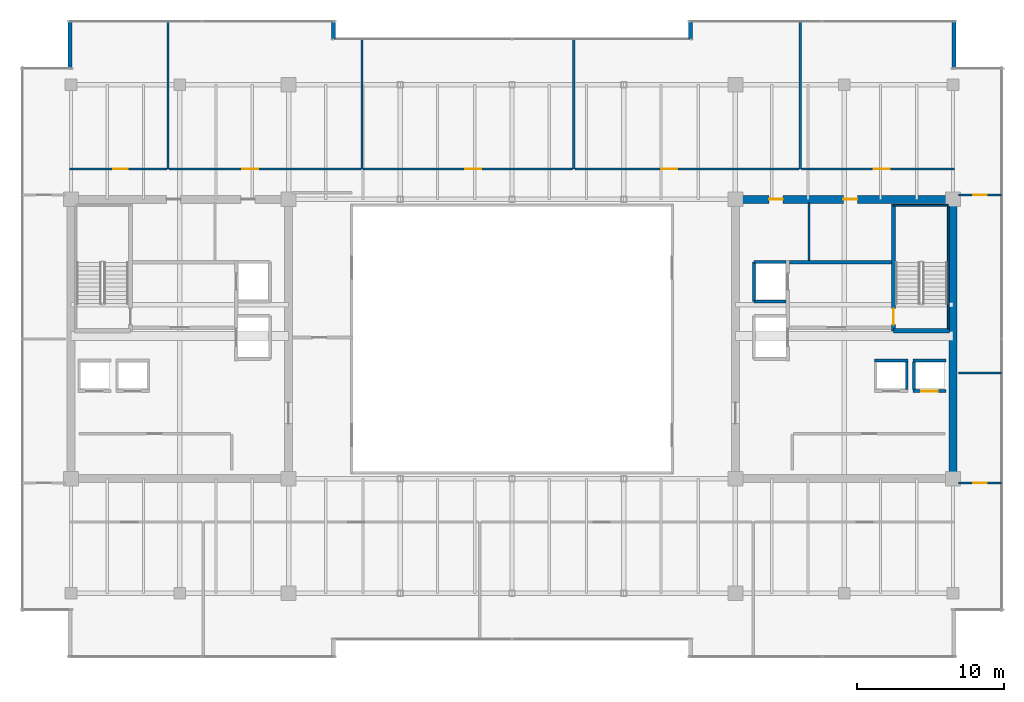
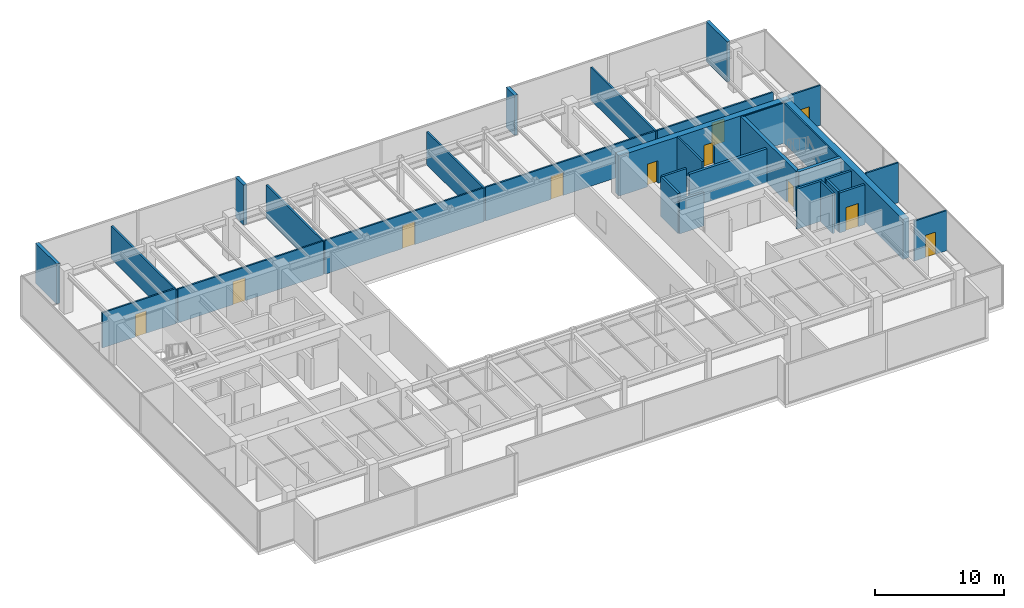
# One storey, part 30 of 33: 32 walls, 11 doors, 11 openings.
"""IFC4 building model written with IfcOpenShell, lengths in metres."""

from ifc_helpers import new_model, si_unit, direction, frame, frame_2d, origin, place, context, subcontext, project, spatial, rectangle, extrude, source, transform, mapped, material, layer, layer_set, type_object, type_shapes, element, fill, save


model = new_model("IFC4")

# Units and contexts
model_context = context("Model", 3, precision=1e-05, world=origin(), true_north=direction((0.0, 1.0)))
body_context = subcontext(model_context, "Body", "Model", "MODEL_VIEW")
ifc_project = project(units=[si_unit("LENGTHUNIT", "METRE"), si_unit("AREAUNIT", "SQUARE_METRE"), si_unit("VOLUMEUNIT", "CUBIC_METRE"), si_unit("PLANEANGLEUNIT", "RADIAN"), si_unit("MASSUNIT", "GRAM", prefix="KILO")], contexts=[model_context])

# Site, building, storey
site_placement = place(None, origin())
site = spatial("IfcSite", under=ifc_project, at=site_placement, CompositionType="ELEMENT")
building_placement = place(site_placement, origin())
building = spatial("IfcBuilding", under=site, at=building_placement, Name="Haelvirn Gate Laboratories", CompositionType="ELEMENT")
storey_placement = place(building_placement, frame((0.0, 0.0, 217.800048828125)))
storey = spatial("IfcBuildingStorey", under=building, at=storey_placement, Name="L52", CompositionType="ELEMENT", Elevation=217.800048828125)

# Walls
ifc_material_1 = material(Name="Thermally-broken bronze aluminium rainscreen & mineral wool", Category="aluminium")
ifc_layer_1 = layer(ifc_material_1, 0.280029296875, Name="EW-TERR-280")
ifc_layer_set_1 = layer_set([ifc_layer_1], Name="Thermally-broken bronze aluminium rainscreen & mineral wool")
wall_type_1 = type_object("IfcWallType", Name="EW-TERR-280", PredefinedType="STANDARD", material=ifc_layer_set_1)
wall_1_placement = place(storey_placement, frame((67.4599609375, 42.7119140625, 0.0), z_axis=(0.0, 0.0, 1.0), x_axis=(0.0, 1.0, 0.0)))
element("IfcWall", 1, at=wall_1_placement, inside=storey, type_object=wall_type_1, Name="L52 Atrium Recess Bronze Return Wall 09", PredefinedType="STANDARD", context=body_context, shape_type="SweptSolid", body=[
    extrude(rectangle(XDim=3.2880859375, YDim=0.280029296875, at=frame_2d((1.64404296875, 0.0))), origin(), (0.0, 0.0, 1.0), 3.800048828125),
])
for number, where, z_axis, x_axis, name in (
    (2, (49.5400390625, 46.0, 0.0), (0.0, 0.0, 1.0), (0.0, -1.0, 0.0), "L52 Atrium Recess Bronze Return Wall 11"),
    (3, (25.260009765625, 44.70703125, 0.0), (0.0, 0.0, 1.0), (0.0, 1.0, 0.0), "L52 Atrium Recess Bronze Return Wall 13"),
):
    element("IfcWall", number, at=place(storey_placement, frame(where, z_axis=z_axis, x_axis=x_axis)), inside=storey, type_object=wall_type_1, Name=name, PredefinedType="STANDARD", context=body_context, shape_type="SweptSolid", body=[
        extrude(rectangle(XDim=1.29296875, YDim=0.280029296875, at=frame_2d((0.646484375, 0.0))), origin(), (0.0, 0.0, 1.0), 3.800048828125),
    ])
wall_2_placement = place(storey_placement, frame((7.340087890625, 46.0, 0.0), z_axis=(0.0, 0.0, 1.0), x_axis=(0.0, -1.0, 0.0)))
element("IfcWall", 4, at=wall_2_placement, inside=storey, type_object=wall_type_1, Name="L52 Atrium Recess Bronze Return Wall 15", PredefinedType="STANDARD", context=body_context, shape_type="SweptSolid", body=[
    extrude(rectangle(XDim=3.2880859375, YDim=0.280029296875, at=frame_2d((1.64404296875, 0.0))), origin(), (0.0, 0.0, 1.0), 3.800048828125),
])
ifc_material_2 = material(Name="Double-layer acoustic gypsum laboratory partition", Category="gypsum")
ifc_layer_2 = layer(ifc_material_2, 0.159912109375, Name="IW-ACOUST-160")
ifc_layer_set_2 = layer_set([ifc_layer_2], Name="Double-layer acoustic gypsum laboratory partition")
wall_type_2 = type_object("IfcWallType", Name="IW-ACOUST-160", PredefinedType="PARTITIONING", material=ifc_layer_set_2)
wall_3_placement = place(storey_placement, frame((14.0, 35.860107421875, 0.0), z_axis=(0.0, 0.0, 1.0), x_axis=(0.0, 1.0, 0.0)))
element("IfcWall", 5, at=wall_3_placement, inside=storey, type_object=wall_type_2, Name="L52 Interior Wall IW-L52-NDIV-01", PredefinedType="PARTITIONING", context=body_context, shape_type="SweptSolid", body=[
    extrude(rectangle(XDim=10.02978515625, YDim=0.159912109375, at=frame_2d((5.014892578125, 0.0))), origin(), (0.0, 0.0, 1.0), 3.135009765625),
])
for number, where, z_axis, x_axis, name in (
    (6, (27.199951171875, 35.860107421875, 0.0), (0.0, 0.0, 1.0), (0.0, 1.0, 0.0), "L52 Interior Wall IW-L52-NDIV-02"),
    (7, (41.60009765625, 35.860107421875, 0.0), (0.0, 0.0, 1.0), (0.0, 1.0, 0.0), "L52 Interior Wall IW-L52-NDIV-03"),
):
    element("IfcWall", number, at=place(storey_placement, frame(where, z_axis=z_axis, x_axis=x_axis)), inside=storey, type_object=wall_type_2, Name=name, PredefinedType="PARTITIONING", context=body_context, shape_type="SweptSolid", body=[
        extrude(rectangle(XDim=8.829833984375, YDim=0.159912109375, at=frame_2d((4.4150390625, 0.0))), origin(), (0.0, 0.0, 1.0), 3.135009765625),
    ])
wall_4_placement = place(storey_placement, frame((57.0, 35.860107421875, 0.0), z_axis=(0.0, 0.0, 1.0), x_axis=(0.0, 1.0, 0.0)))
element("IfcWall", 8, at=wall_4_placement, inside=storey, type_object=wall_type_2, Name="L52 Interior Wall IW-L52-NDIV-04", PredefinedType="PARTITIONING", context=body_context, shape_type="SweptSolid", body=[
    extrude(rectangle(XDim=10.02978515625, YDim=0.159912109375, at=frame_2d((5.014892578125, 0.0))), origin(), (0.0, 0.0, 1.0), 3.135009765625),
])

# Wall, opening, door
ifc_material_3 = material(Name="Acoustic mineral-wool gypsum board partition", Category="gypsum")
ifc_layer_3 = layer(ifc_material_3, 0.139892578125, Name="IW-PART-140")
ifc_layer_set_3 = layer_set([ifc_layer_3], Name="Acoustic mineral-wool gypsum board partition")
wall_type_3 = type_object("IfcWallType", Name="IW-PART-140", PredefinedType="PARTITIONING", material=ifc_layer_set_3)
wall_5_placement = place(storey_placement, frame((7.31005859375, 35.860107421875, 0.0), z_axis=(0.0, 0.0, 1.0), x_axis=(1.0, 0.0, 0.0)))
wall_5 = element("IfcWall", 9, at=wall_5_placement, inside=storey, type_object=wall_type_3, Name="L52 Interior Wall IW-L52-NCORR-01", PredefinedType="PARTITIONING", context=body_context, shape_type="SweptSolid", body=[
    extrude(rectangle(XDim=6.60986328125, YDim=0.139892578125, at=frame_2d((3.304931640625, 0.0))), origin(), (0.0, 0.0, 1.0), 3.3349609375),
])
opening_1_placement = place(wall_5_placement, frame((2.952392578125, 0.0, 0.0)))
opening_1 = element("IfcOpeningElement", 10, at=opening_1_placement, cuts=wall_5, Name="Opening D2", PredefinedType="OPENING", context=body_context, shape_type="SweptSolid", body=[
    extrude(rectangle(XDim=1.0, YDim=2.14990234375, at=frame_2d((0.5, 1.074951171875))), frame((0.0, 0.080078125, 0.0), z_axis=(0.0, -1.0, 0.0), x_axis=(1.0, 0.0, 0.0)), (0.0, 0.0, 1.0), 0.159912109375),
])
ifc_material_4 = material(Name="Acoustic solid-core timber suite door", Category="wood")
door_type_1 = type_object("IfcDoorType", Name="DR-INT-1000", OperationType="NOTDEFINED", PredefinedType="DOOR", material=ifc_material_4)
shared_shape_1 = source(origin(), body_context, "Body", "SweptSolid", [
    extrude(rectangle(XDim=1.0, YDim=2.14990234375, at=frame_2d((0.5, 1.074951171875))), frame((0.0, 0.02490234375, 0.0), z_axis=(0.0, -1.0, 0.0), x_axis=(1.0, 0.0, 0.0)), (0.0, 0.0, 1.0), 0.050048828125),
])
type_shapes(door_type_1, [shared_shape_1])
door_1_placement = place(opening_1_placement, origin())
door_1 = element("IfcDoor", 11, at=door_1_placement, inside=storey, type_object=door_type_1, Name="L52 Analytical Instrument Suite Door N1", OperationType="SINGLE_SWING_RIGHT", OverallHeight=2.14990234375, OverallWidth=1.0, PredefinedType="DOOR", context=body_context, shape_type="MappedRepresentation", body=[
    mapped(shared_shape_1, transform((0.0, 0.0, 0.0), scale=1.0)),
])
fill(opening_1, door_1)

wall_6_placement = place(storey_placement, frame((14.080078125, 35.860107421875, 0.0), z_axis=(0.0, 0.0, 1.0), x_axis=(1.0, 0.0, 0.0)))
wall_6 = element("IfcWall", 12, at=wall_6_placement, inside=storey, type_object=wall_type_3, Name="L52 Interior Wall IW-L52-NCORR-02", PredefinedType="PARTITIONING", context=body_context, shape_type="SweptSolid", body=[
    extrude(rectangle(XDim=13.0400390625, YDim=0.139892578125, at=frame_2d((6.52001953125, 0.0))), origin(), (0.0, 0.0, 1.0), 3.197021484375),
])
opening_2_placement = place(wall_6_placement, frame((4.95849609375, 0.0, 0.0)))
opening_2 = element("IfcOpeningElement", 13, at=opening_2_placement, cuts=wall_6, Name="Opening D1", PredefinedType="OPENING", context=body_context, shape_type="SweptSolid", body=[
    extrude(rectangle(XDim=1.10009765625, YDim=2.179931640625, at=frame_2d((0.550048828125, 1.08984375))), frame((0.0, 0.080078125, 0.0), z_axis=(0.0, -1.0, 0.0), x_axis=(1.0, 0.0, 0.0)), (0.0, 0.0, 1.0), 0.159912109375),
])
ifc_material_5 = material(Name="Vision-panel acoustic solid-core timber lab door", Category="wood")
door_type_2 = type_object("IfcDoorType", Name="DR-LAB-1100", OperationType="NOTDEFINED", PredefinedType="DOOR", material=ifc_material_5)
shared_shape_2 = source(origin(), body_context, "Body", "SweptSolid", [
    extrude(rectangle(XDim=1.10009765625, YDim=2.179931640625, at=frame_2d((0.550048828125, 1.08984375))), frame((0.0, 0.02490234375, 0.0), z_axis=(0.0, -1.0, 0.0), x_axis=(1.0, 0.0, 0.0)), (0.0, 0.0, 1.0), 0.050048828125),
])
type_shapes(door_type_2, [shared_shape_2])
door_2_placement = place(opening_2_placement, origin())
door_2 = element("IfcDoor", 14, at=door_2_placement, inside=storey, type_object=door_type_2, Name="L52 Cleanroom Metrology Suite Door N2", OperationType="SINGLE_SWING_LEFT", OverallHeight=2.179931640625, OverallWidth=1.10009765625, PredefinedType="DOOR", context=body_context, shape_type="MappedRepresentation", body=[
    mapped(shared_shape_2, transform((0.0, 0.0, 0.0), scale=1.0)),
])
fill(opening_2, door_2)

wall_7_placement = place(storey_placement, frame((27.280029296875, 35.860107421875, 0.0), z_axis=(0.0, 0.0, 1.0), x_axis=(1.0, 0.0, 0.0)))
wall_7 = element("IfcWall", 15, at=wall_7_placement, inside=storey, type_object=wall_type_3, Name="L52 Interior Wall IW-L52-NCORR-03", PredefinedType="PARTITIONING", context=body_context, shape_type="SweptSolid", body=[
    extrude(rectangle(XDim=14.239990234375, YDim=0.139892578125, at=frame_2d((7.1201171875, 0.0))), origin(), (0.0, 0.0, 1.0), 3.197021484375),
])
opening_3_placement = place(wall_7_placement, frame((6.943115234375, 0.0, 0.0)))
opening_3 = element("IfcOpeningElement", 16, at=opening_3_placement, cuts=wall_7, Name="Opening D1", PredefinedType="OPENING", context=body_context, shape_type="SweptSolid", body=[
    extrude(rectangle(XDim=1.10009765625, YDim=2.179931640625, at=frame_2d((0.550048828125, 1.08984375))), frame((0.0, 0.080078125, 0.0), z_axis=(0.0, -1.0, 0.0), x_axis=(1.0, 0.0, 0.0)), (0.0, 0.0, 1.0), 0.159912109375),
])
door_3_placement = place(opening_3_placement, origin())
door_3 = element("IfcDoor", 17, at=door_3_placement, inside=storey, type_object=door_type_2, Name="L52 Cryo-EM Imaging Suite Door N3", OperationType="SINGLE_SWING_RIGHT", OverallHeight=2.179931640625, OverallWidth=1.10009765625, PredefinedType="DOOR", context=body_context, shape_type="MappedRepresentation", body=[
    mapped(shared_shape_2, transform((0.0, 0.0, 0.0), scale=1.0)),
])
fill(opening_3, door_3)

wall_8_placement = place(storey_placement, frame((41.679931640625, 35.860107421875, 0.0), z_axis=(0.0, 0.0, 1.0), x_axis=(1.0, 0.0, 0.0)))
wall_8 = element("IfcWall", 18, at=wall_8_placement, inside=storey, type_object=wall_type_3, Name="L52 Interior Wall IW-L52-NCORR-04", PredefinedType="PARTITIONING", context=body_context, shape_type="SweptSolid", body=[
    extrude(rectangle(XDim=15.239990234375, YDim=0.139892578125, at=frame_2d((7.6201171875, 0.0))), origin(), (0.0, 0.0, 1.0), 3.197021484375),
])
opening_4_placement = place(wall_8_placement, frame((5.8603515625, 0.0, 0.0)))
opening_4 = element("IfcOpeningElement", 19, at=opening_4_placement, cuts=wall_8, Name="Opening D1", PredefinedType="OPENING", context=body_context, shape_type="SweptSolid", body=[
    extrude(rectangle(XDim=1.10009765625, YDim=2.179931640625, at=frame_2d((0.550048828125, 1.08984375))), frame((0.0, 0.080078125, 0.0), z_axis=(0.0, -1.0, 0.0), x_axis=(1.0, 0.0, 0.0)), (0.0, 0.0, 1.0), 0.159912109375),
])
door_4_placement = place(opening_4_placement, origin())
door_4 = element("IfcDoor", 20, at=door_4_placement, inside=storey, type_object=door_type_2, Name="L52 Analytical Instrument Suite Door N4", OperationType="SINGLE_SWING_LEFT", OverallHeight=2.179931640625, OverallWidth=1.10009765625, PredefinedType="DOOR", context=body_context, shape_type="MappedRepresentation", body=[
    mapped(shared_shape_2, transform((0.0, 0.0, 0.0), scale=1.0)),
])
fill(opening_4, door_4)

wall_9_placement = place(storey_placement, frame((57.080078125, 35.860107421875, 0.0), z_axis=(0.0, 0.0, 1.0), x_axis=(1.0, 0.0, 0.0)))
wall_9 = element("IfcWall", 21, at=wall_9_placement, inside=storey, type_object=wall_type_3, Name="L52 Interior Wall IW-L52-NCORR-05", PredefinedType="PARTITIONING", context=body_context, shape_type="SweptSolid", body=[
    extrude(rectangle(XDim=10.409912109375, YDim=0.139892578125, at=frame_2d((5.205078125, 0.0))), origin(), (0.0, 0.0, 1.0), 3.197021484375),
])
opening_5_placement = place(wall_9_placement, frame((4.913330078125, 0.0, 0.0)))
opening_5 = element("IfcOpeningElement", 22, at=opening_5_placement, cuts=wall_9, Name="Opening D1", PredefinedType="OPENING", context=body_context, shape_type="SweptSolid", body=[
    extrude(rectangle(XDim=1.10009765625, YDim=2.179931640625, at=frame_2d((0.550048828125, 1.08984375))), frame((0.0, 0.080078125, 0.0), z_axis=(0.0, -1.0, 0.0), x_axis=(1.0, 0.0, 0.0)), (0.0, 0.0, 1.0), 0.159912109375),
])
door_5_placement = place(opening_5_placement, origin())
door_5 = element("IfcDoor", 23, at=door_5_placement, inside=storey, type_object=door_type_2, Name="L52 Occupational Biosafety Clinic Door N5", OperationType="SINGLE_SWING_RIGHT", OverallHeight=2.179931640625, OverallWidth=1.10009765625, PredefinedType="DOOR", context=body_context, shape_type="MappedRepresentation", body=[
    mapped(shared_shape_2, transform((0.0, 0.0, 0.0), scale=1.0)),
])
fill(opening_5, door_5)

# Wall
wall_10_placement = place(storey_placement, frame((67.780029296875, 22.0, 0.0), z_axis=(0.0, 0.0, 1.0), x_axis=(1.0, 0.0, 0.0)))
element("IfcWall", 24, at=wall_10_placement, inside=storey, type_object=wall_type_3, Name="L52 Interior Wall IW-L52-EZ3-MID", PredefinedType="PARTITIONING", context=body_context, shape_type="SweptSolid", body=[
    extrude(rectangle(XDim=2.909912109375, YDim=0.139892578125, at=frame_2d((1.455078125, 0.0))), origin(), (0.0, 0.0, 1.0), 3.800048828125),
])

# Wall, opening, door
wall_11_placement = place(storey_placement, frame((67.780029296875, 14.5048828125, 0.0), z_axis=(0.0, 0.0, 1.0), x_axis=(1.0, 0.0, 0.0)))
wall_11 = element("IfcWall", 25, at=wall_11_placement, inside=storey, type_object=wall_type_3, Name="L52 Interior Wall IW-L52-EZ3-ENT-S", PredefinedType="PARTITIONING", context=body_context, shape_type="SweptSolid", body=[
    extrude(rectangle(XDim=2.909912109375, YDim=0.139892578125, at=frame_2d((1.455078125, 0.0))), origin(), (0.0, 0.0, 1.0), 3.800048828125),
])
opening_6_placement = place(wall_11_placement, frame((1.0048828125, 0.0, 0.0)))
opening_6 = element("IfcOpeningElement", 26, at=opening_6_placement, cuts=wall_11, Name="Opening D4", PredefinedType="OPENING", context=body_context, shape_type="SweptSolid", body=[
    extrude(rectangle(XDim=0.89990234375, YDim=2.10009765625, at=frame_2d((0.449951171875, 1.050048828125))), frame((0.0, 0.080078125, 0.0), z_axis=(0.0, -1.0, 0.0), x_axis=(1.0, 0.0, 0.0)), (0.0, 0.0, 1.0), 0.159912109375),
])
ifc_material_6 = material(Name="Glazed aluminium-framed write-up door", Category="aluminium")
door_type_3 = type_object("IfcDoorType", Name="DR-OFF-900", OperationType="NOTDEFINED", PredefinedType="DOOR", material=ifc_material_6)
shared_shape_3 = source(origin(), body_context, "Body", "SweptSolid", [
    extrude(rectangle(XDim=0.89990234375, YDim=2.10009765625, at=frame_2d((0.449951171875, 1.050048828125))), frame((0.0, 0.02490234375, 0.0), z_axis=(0.0, -1.0, 0.0), x_axis=(1.0, 0.0, 0.0)), (0.0, 0.0, 1.0), 0.050048828125),
])
type_shapes(door_type_3, [shared_shape_3])
door_6_placement = place(opening_6_placement, origin())
door_6 = element("IfcDoor", 27, at=door_6_placement, inside=storey, type_object=door_type_3, Name="L52 Researcher Break Pantry Door E-S", OperationType="SINGLE_SWING_LEFT", OverallHeight=2.10009765625, OverallWidth=0.89990234375, PredefinedType="DOOR", context=body_context, shape_type="MappedRepresentation", body=[
    mapped(shared_shape_3, transform((0.0, 0.0, 0.0), scale=1.0)),
])
fill(opening_6, door_6)

wall_12_placement = place(storey_placement, frame((67.780029296875, 34.094970703125, 0.0), z_axis=(0.0, 0.0, 1.0), x_axis=(1.0, 0.0, 0.0)))
wall_12 = element("IfcWall", 28, at=wall_12_placement, inside=storey, type_object=wall_type_3, Name="L52 Interior Wall IW-L52-EZ3-ENT-N", PredefinedType="PARTITIONING", context=body_context, shape_type="SweptSolid", body=[
    extrude(rectangle(XDim=2.909912109375, YDim=0.139892578125, at=frame_2d((1.455078125, 0.0))), origin(), (0.0, 0.0, 1.0), 3.800048828125),
])
opening_7_placement = place(wall_12_placement, frame((1.0048828125, 0.0, 0.0)))
opening_7 = element("IfcOpeningElement", 29, at=opening_7_placement, cuts=wall_12, Name="Opening D4", PredefinedType="OPENING", context=body_context, shape_type="SweptSolid", body=[
    extrude(rectangle(XDim=0.89990234375, YDim=2.10009765625, at=frame_2d((0.449951171875, 1.050048828125))), frame((0.0, 0.080078125, 0.0), z_axis=(0.0, -1.0, 0.0), x_axis=(1.0, 0.0, 0.0)), (0.0, 0.0, 1.0), 0.159912109375),
])
door_7_placement = place(opening_7_placement, origin())
door_7 = element("IfcDoor", 30, at=door_7_placement, inside=storey, type_object=door_type_3, Name="L52 Chemical Synthesis Laboratory Door E-N", OperationType="SINGLE_SWING_RIGHT", OverallHeight=2.10009765625, OverallWidth=0.89990234375, PredefinedType="DOOR", context=body_context, shape_type="MappedRepresentation", body=[
    mapped(shared_shape_3, transform((0.0, 0.0, 0.0), scale=1.0)),
])
fill(opening_7, door_7)

# Walls
ifc_material_7 = material(Name="Cement-board restroom plumbing chase wall", Category="gypsum")
ifc_layer_4 = layer(ifc_material_7, 0.155029296875, Name="IW-PLUMB-160")
ifc_layer_set_4 = layer_set([ifc_layer_4], Name="Cement-board restroom plumbing chase wall")
wall_type_4 = type_object("IfcWallType", Name="IW-PLUMB-160", PredefinedType="PLUMBINGWALL", material=ifc_layer_set_4)
wall_13_placement = place(storey_placement, frame((57.610107421875, 29.64990234375, 0.0), z_axis=(0.0, 0.0, 1.0), x_axis=(0.0, 1.0, 0.0)))
element("IfcWall", 31, at=wall_13_placement, inside=storey, type_object=wall_type_4, Name="L52 Interior Wall IW-L52-E-CDIV-1", PredefinedType="PLUMBINGWALL", context=body_context, shape_type="SweptSolid", body=[
    extrude(rectangle(XDim=3.93017578125, YDim=0.155029296875, at=frame_2d((1.965087890625, 0.0))), origin(), (0.0, 0.0, 1.0), 3.800048828125),
])
ifc_material_8 = material(Name="Concrete C40/50", Category="concrete")
ifc_layer_5 = layer(ifc_material_8, 0.179931640625, Name="IW-SHAFT-180")
ifc_layer_set_5 = layer_set([ifc_layer_5], Name="Concrete C40/50")
wall_type_5 = type_object("IfcWallType", Name="IW-SHAFT-180", PredefinedType="SOLIDWALL", material=ifc_layer_set_5)
for number, where, z_axis, x_axis, name in (
    (32, (64.75, 20.85009765625, 0.0), (0.0, 0.0, 1.0), (0.0, 1.0, 0.0), "L52 Interior Wall IW-L52-PL11-SD"),
    (33, (64.25, 20.85009765625, 0.0), (0.0, 0.0, 1.0), (0.0, 1.0, 0.0), "L52 Interior Wall IW-L52-PL12-SDE"),
):
    element("IfcWall", number, at=place(storey_placement, frame(where, z_axis=z_axis, x_axis=x_axis)), inside=storey, type_object=wall_type_5, Name=name, PredefinedType="SOLIDWALL", context=body_context, shape_type="SweptSolid", body=[
        extrude(rectangle(XDim=1.89990234375, YDim=0.179931640625, at=frame_2d((0.949951171875, 0.0))), origin(), (0.0, 0.0, 1.0), 3.800048828125),
    ])

# Wall, opening, door
ifc_layer_6 = layer(ifc_material_8, 0.199951171875, Name="IW-SHAFT-200")
ifc_layer_set_6 = layer_set([ifc_layer_6], Name="Concrete C40/50")
wall_type_6 = type_object("IfcWallType", Name="IW-SHAFT-200", PredefinedType="SOLIDWALL", material=ifc_layer_set_6)
wall_14_placement = place(storey_placement, frame((64.669921875, 20.75, 0.0), z_axis=(0.0, 0.0, 1.0), x_axis=(1.0, 0.0, 0.0)))
wall_14 = element("IfcWall", 34, at=wall_14_placement, inside=storey, type_object=wall_type_6, Name="L52 Interior Wall IW-L52-PL11-FR", PredefinedType="SOLIDWALL", context=body_context, shape_type="SweptSolid", body=[
    extrude(rectangle(XDim=2.260009765625, YDim=0.199951171875, at=frame_2d((1.1298828125, 0.0))), origin(), (0.0, 0.0, 1.0), 3.800048828125),
])
opening_8_placement = place(wall_14_placement, frame((0.580078125, 0.0, 0.0)))
opening_8 = element("IfcOpeningElement", 35, at=opening_8_placement, cuts=wall_14, Name="Opening LD2", PredefinedType="OPENING", context=body_context, shape_type="SweptSolid", body=[
    extrude(rectangle(XDim=1.10009765625, YDim=2.219970703125, at=frame_2d((0.550048828125, 1.10986328125))), frame((0.0, 0.10986328125, 0.0), z_axis=(0.0, -1.0, 0.0), x_axis=(1.0, 0.0, 0.0)), (0.0, 0.0, 1.0), 0.219970703125),
])
ifc_material_9 = material(Name="Bronze stainless 316L sliding lift landing door")
door_type_4 = type_object("IfcDoorType", Name="DR-LD-1100", OperationType="NOTDEFINED", PredefinedType="USERDEFINED", material=ifc_material_9)
shared_shape_4 = source(origin(), body_context, "Body", "SweptSolid", [
    extrude(rectangle(XDim=1.10009765625, YDim=2.219970703125, at=frame_2d((0.550048828125, 1.10986328125))), frame((0.0, 0.02490234375, 0.0), z_axis=(0.0, -1.0, 0.0), x_axis=(1.0, 0.0, 0.0)), (0.0, 0.0, 1.0), 0.050048828125),
])
type_shapes(door_type_4, [shared_shape_4])
door_8_placement = place(opening_8_placement, origin())
door_8 = element("IfcDoor", 36, at=door_8_placement, inside=storey, type_object=door_type_4, Name="L52 Passenger Lift PL11 Landing Door", ObjectType="LANDING_DOOR", OperationType="SLIDING_TO_LEFT", OverallHeight=2.219970703125, OverallWidth=1.10009765625, PredefinedType="USERDEFINED", context=body_context, shape_type="MappedRepresentation", body=[
    mapped(shared_shape_4, transform((0.0, 0.0, 0.0), scale=1.0)),
])
fill(opening_8, door_8)

# Walls
for number, where, z_axis, x_axis, name in (
    (37, (64.669921875, 22.85009765625, 0.0), (0.0, 0.0, 1.0), (1.0, 0.0, 0.0), "L52 Interior Wall IW-L52-PL11-BK"),
    (38, (62.070068359375, 22.85009765625, 0.0), (0.0, 0.0, 1.0), (1.0, 0.0, 0.0), "L52 Interior Wall IW-L52-PL12-BK"),
):
    element("IfcWall", number, at=place(storey_placement, frame(where, z_axis=z_axis, x_axis=x_axis)), inside=storey, type_object=wall_type_6, Name=name, PredefinedType="SOLIDWALL", context=body_context, shape_type="SweptSolid", body=[
        extrude(rectangle(XDim=2.260009765625, YDim=0.199951171875, at=frame_2d((1.1298828125, 0.0))), origin(), (0.0, 0.0, 1.0), 3.800048828125),
    ])
wall_15_placement = place(storey_placement, frame((53.85009765625, 26.85009765625, 0.0), z_axis=(0.0, 0.0, 1.0), x_axis=(0.0, 1.0, 0.0)))
element("IfcWall", 39, at=wall_15_placement, inside=storey, type_object=wall_type_6, Name="L52 Interior Wall IW-L52-FL2-BK", PredefinedType="SOLIDWALL", context=body_context, shape_type="SweptSolid", body=[
    extrude(rectangle(XDim=2.699951171875, YDim=0.199951171875, at=frame_2d((1.35009765625, 0.0))), origin(), (0.0, 0.0, 1.0), 3.800048828125),
])
wall_16_placement = place(storey_placement, frame((53.85009765625, 29.550048828125, 0.0), z_axis=(0.0, 0.0, 1.0), x_axis=(1.0, 0.0, 0.0)))
element("IfcWall", 40, at=wall_16_placement, inside=storey, type_object=wall_type_6, Name="L52 Interior Wall IW-L52-FL2-N", PredefinedType="SOLIDWALL", context=body_context, shape_type="SweptSolid", body=[
    extrude(rectangle(XDim=2.18994140625, YDim=0.199951171875, at=frame_2d((1.094970703125, 0.0))), origin(), (0.0, 0.0, 1.0), 3.800048828125),
])
wall_17_placement = place(storey_placement, frame((53.85009765625, 26.85009765625, 0.0), z_axis=(0.0, 0.0, 1.0), x_axis=(1.0, 0.0, 0.0)))
element("IfcWall", 41, at=wall_17_placement, inside=storey, type_object=wall_type_6, Name="L52 Interior Wall IW-L52-FL2-S", PredefinedType="SOLIDWALL", context=body_context, shape_type="SweptSolid", body=[
    extrude(rectangle(XDim=2.18994140625, YDim=0.199951171875, at=frame_2d((1.094970703125, 0.0))), origin(), (0.0, 0.0, 1.0), 3.197021484375),
])
ifc_layer_7 = layer(ifc_material_8, 0.239990234375, Name="IW-SHAFT-240")
ifc_layer_set_7 = layer_set([ifc_layer_7], Name="Concrete C40/50")
wall_type_7 = type_object("IfcWallType", Name="IW-SHAFT-240", PredefinedType="SOLIDWALL", material=ifc_layer_set_7)
wall_18_placement = place(storey_placement, frame((56.280029296875, 29.52001953125, 0.0), z_axis=(0.0, 0.0, 1.0), x_axis=(1.0, 0.0, 0.0)))
element("IfcWall", 42, at=wall_18_placement, inside=storey, type_object=wall_type_7, Name="L52 Interior Wall IW-L52-E-FF-N", PredefinedType="SOLIDWALL", context=body_context, shape_type="SweptSolid", body=[
    extrude(rectangle(XDim=6.919921875, YDim=0.239990234375, at=frame_2d((3.4599609375, 0.0))), origin(), (0.0, 0.0, 1.0), 3.197021484375),
])

# Wall, openings, doors
ifc_material_10 = material(Name="Concrete C50/60", Category="concrete")
ifc_layer_8 = layer(ifc_material_10, 0.550048828125, Name="SW-CORE-550")
ifc_layer_set_8 = layer_set([ifc_layer_8], Name="Concrete C50/60")
wall_type_8 = type_object("IfcWallType", Name="SW-CORE-550", PredefinedType="SHEAR", material=ifc_layer_set_8)
wall_19_placement = place(storey_placement, frame((52.324951171875, 33.800048828125, 0.0), z_axis=(0.0, 0.0, 1.0), x_axis=(1.0, 0.0, 0.0)))
wall_19 = element("IfcWall", 43, at=wall_19_placement, inside=storey, type_object=wall_type_8, Name="L52 E Core Shear Wall N", PredefinedType="SHEAR", context=body_context, shape_type="SweptSolid", body=[
    extrude(rectangle(XDim=15.35009765625, YDim=0.550048828125, at=frame_2d((7.675048828125, 0.0))), origin(), (0.0, 0.0, 1.0), 3.800048828125),
])
opening_9_placement = place(wall_19_placement, frame((7.625, 0.0, 0.0)))
opening_9 = element("IfcOpeningElement", 44, at=opening_9_placement, cuts=wall_19, Name="Opening FD4", PredefinedType="OPENING", context=body_context, shape_type="SweptSolid", body=[
    extrude(rectangle(XDim=0.949951171875, YDim=2.14990234375, at=frame_2d((0.47509765625, 1.074951171875))), frame((0.0, 0.28515625, 0.0), z_axis=(0.0, -1.0, 0.0), x_axis=(1.0, 0.0, 0.0)), (0.0, 0.0, 1.0), 0.570068359375),
])
opening_10_placement = place(wall_19_placement, frame((2.56005859375, 0.0, 0.0)))
opening_10 = element("IfcOpeningElement", 45, at=opening_10_placement, cuts=wall_19, Name="Opening FD4", PredefinedType="OPENING", context=body_context, shape_type="SweptSolid", body=[
    extrude(rectangle(XDim=0.949951171875, YDim=2.14990234375, at=frame_2d((0.47509765625, 1.074951171875))), frame((0.0, 0.28515625, 0.0), z_axis=(0.0, -1.0, 0.0), x_axis=(1.0, 0.0, 0.0)), (0.0, 0.0, 1.0), 0.570068359375),
])
ifc_material_11 = material(Name="Fire-rated steel SM355 core service door", Category="steel")
door_type_5 = type_object("IfcDoorType", Name="DR-FD-950", OperationType="NOTDEFINED", PredefinedType="DOOR", material=ifc_material_11)
shared_shape_5 = source(origin(), body_context, "Body", "SweptSolid", [
    extrude(rectangle(XDim=0.949951171875, YDim=2.14990234375, at=frame_2d((0.47509765625, 1.074951171875))), frame((0.0, 0.02490234375, 0.0), z_axis=(0.0, -1.0, 0.0), x_axis=(1.0, 0.0, 0.0)), (0.0, 0.0, 1.0), 0.050048828125),
])
type_shapes(door_type_5, [shared_shape_5])
door_9_placement = place(opening_9_placement, origin())
door_9 = element("IfcDoor", 46, at=door_9_placement, inside=storey, type_object=door_type_5, Name="L52 All-Gender Multi-Stall Restroom Fire Door", OperationType="SINGLE_SWING_LEFT", OverallHeight=2.14990234375, OverallWidth=0.949951171875, PredefinedType="DOOR", context=body_context, shape_type="MappedRepresentation", body=[
    mapped(shared_shape_5, transform((0.0, 0.0, 0.0), scale=1.0)),
])
fill(opening_9, door_9)
door_10_placement = place(opening_10_placement, origin())
door_10 = element("IfcDoor", 47, at=door_10_placement, inside=storey, type_object=door_type_5, Name="L52 Accessible Restroom Fire Door", OperationType="SINGLE_SWING_RIGHT", OverallHeight=2.14990234375, OverallWidth=0.949951171875, PredefinedType="DOOR", context=body_context, shape_type="MappedRepresentation", body=[
    mapped(shared_shape_5, transform((0.0, 0.0, 0.0), scale=1.0)),
])
fill(opening_10, door_10)

# Walls
wall_20_placement = place(storey_placement, frame((67.39990234375, 15.074951171875, 0.0), z_axis=(0.0, 0.0, 1.0), x_axis=(0.0, 1.0, 0.0)))
element("IfcWall", 48, at=wall_20_placement, inside=storey, type_object=wall_type_8, Name="L52 E Core Shear Wall E", PredefinedType="SHEAR", context=body_context, shape_type="SweptSolid", body=[
    extrude(rectangle(XDim=18.449951171875, YDim=0.550048828125, at=frame_2d((9.22509765625, 0.0))), origin(), (0.0, 0.0, 1.0), 3.800048828125),
])
ifc_layer_9 = layer(ifc_material_10, 0.1201171875, Name="SW-LINER-120")
ifc_layer_set_9 = layer_set([ifc_layer_9], Name="Concrete C50/60")
wall_type_9 = type_object("IfcWallType", Name="SW-LINER-120", PredefinedType="SOLIDWALL", material=ifc_layer_set_9)
wall_21_placement = place(storey_placement, frame((63.35009765625, 33.39990234375, 0.0), z_axis=(0.0, 0.0, 1.0), x_axis=(1.0, 0.0, 0.0)))
element("IfcWall", 49, at=wall_21_placement, inside=storey, type_object=wall_type_9, Name="L52 E Core Stair Shaft Liner Wall N", PredefinedType="SOLIDWALL", context=body_context, shape_type="SweptSolid", body=[
    extrude(rectangle(XDim=3.719970703125, YDim=0.1201171875, at=frame_2d((1.85986328125, 0.0))), origin(), (0.0, 0.0, 1.0), 3.800048828125),
])
wall_22_placement = place(storey_placement, frame((67.070068359375, 25.0, 0.0), z_axis=(0.0, 0.0, 1.0), x_axis=(0.0, 1.0, 0.0)))
element("IfcWall", 50, at=wall_22_placement, inside=storey, type_object=wall_type_9, Name="L52 E Core Stair Shaft Liner Wall OUT", PredefinedType="SOLIDWALL", context=body_context, shape_type="SweptSolid", body=[
    extrude(rectangle(XDim=8.320068359375, YDim=0.1201171875, at=frame_2d((4.16015625, 0.0))), origin(), (0.0, 0.0, 1.0), 3.800048828125),
])

# Wall, opening, door
ifc_layer_10 = layer(ifc_material_10, 0.300048828125, Name="SW-STAIR-300")
ifc_layer_set_10 = layer_set([ifc_layer_10], Name="Concrete C50/60")
wall_type_10 = type_object("IfcWallType", Name="SW-STAIR-300", PredefinedType="SHEAR", material=ifc_layer_set_10)
wall_23_placement = place(storey_placement, frame((63.35009765625, 24.85009765625, 0.0), z_axis=(0.0, 0.0, 1.0), x_axis=(0.0, 1.0, 0.0)))
wall_23 = element("IfcWall", 51, at=wall_23_placement, inside=storey, type_object=wall_type_10, Name="L52 E Core Stair Shaft Structural Wall IN", PredefinedType="SHEAR", context=body_context, shape_type="SweptSolid", body=[
    extrude(rectangle(XDim=8.6298828125, YDim=0.300048828125, at=frame_2d((4.31494140625, 0.0))), origin(), (0.0, 0.0, 1.0), 3.800048828125),
])
opening_11_placement = place(wall_23_placement, frame((0.419921875, 0.0, 0.0)))
opening_11 = element("IfcOpeningElement", 52, at=opening_11_placement, cuts=wall_23, Name="Opening FD3", PredefinedType="OPENING", context=body_context, shape_type="SweptSolid", body=[
    extrude(rectangle(XDim=1.10009765625, YDim=2.14990234375, at=frame_2d((0.550048828125, 1.074951171875))), frame((0.0, 0.16015625, 0.0), z_axis=(0.0, -1.0, 0.0), x_axis=(1.0, 0.0, 0.0)), (0.0, 0.0, 1.0), 0.320068359375),
])
ifc_material_12 = material(Name="Fire-rated steel SM355 escape stair door", Category="steel")
door_type_6 = type_object("IfcDoorType", Name="DR-FD-1100", OperationType="NOTDEFINED", PredefinedType="DOOR", material=ifc_material_12)
shared_shape_6 = source(origin(), body_context, "Body", "SweptSolid", [
    extrude(rectangle(XDim=1.10009765625, YDim=2.14990234375, at=frame_2d((0.550048828125, 1.074951171875))), frame((0.0, 0.02490234375, 0.0), z_axis=(0.0, -1.0, 0.0), x_axis=(1.0, 0.0, 0.0)), (0.0, 0.0, 1.0), 0.050048828125),
])
type_shapes(door_type_6, [shared_shape_6])
door_11_placement = place(opening_11_placement, origin())
door_11 = element("IfcDoor", 53, at=door_11_placement, inside=storey, type_object=door_type_6, Name="L52 Escape Stair ST2 Fire Door", OperationType="SINGLE_SWING_RIGHT", OverallHeight=2.14990234375, OverallWidth=1.10009765625, PredefinedType="DOOR", context=body_context, shape_type="MappedRepresentation", body=[
    mapped(shared_shape_6, transform((0.0, 0.0, 0.0), scale=1.0)),
])
fill(opening_11, door_11)

# Wall
wall_24_placement = place(storey_placement, frame((63.35009765625, 24.85009765625, 0.0), z_axis=(0.0, 0.0, 1.0), x_axis=(1.0, 0.0, 0.0)))
element("IfcWall", 54, at=wall_24_placement, inside=storey, type_object=wall_type_10, Name="L52 E Core Stair Shaft Structural Wall S", PredefinedType="SHEAR", context=body_context, shape_type="SweptSolid", body=[
    extrude(rectangle(XDim=3.7998046875, YDim=0.300048828125, at=frame_2d((1.89990234375, 0.0))), origin(), (0.0, 0.0, 1.0), 3.800048828125),
])

save(model, "model.ifc")
